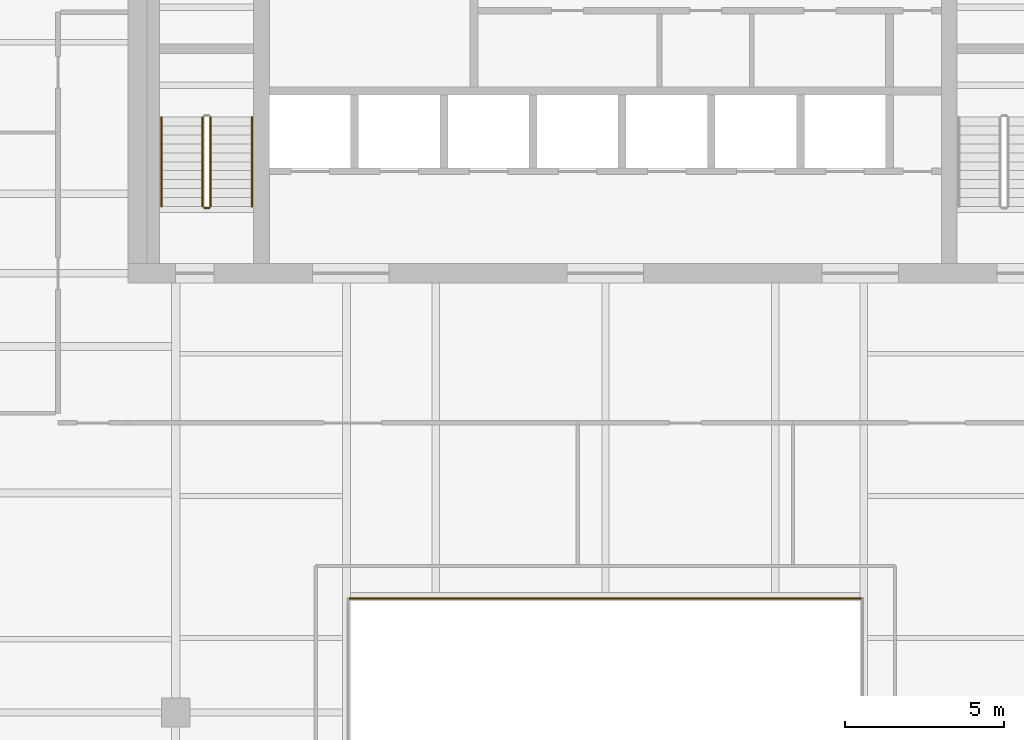
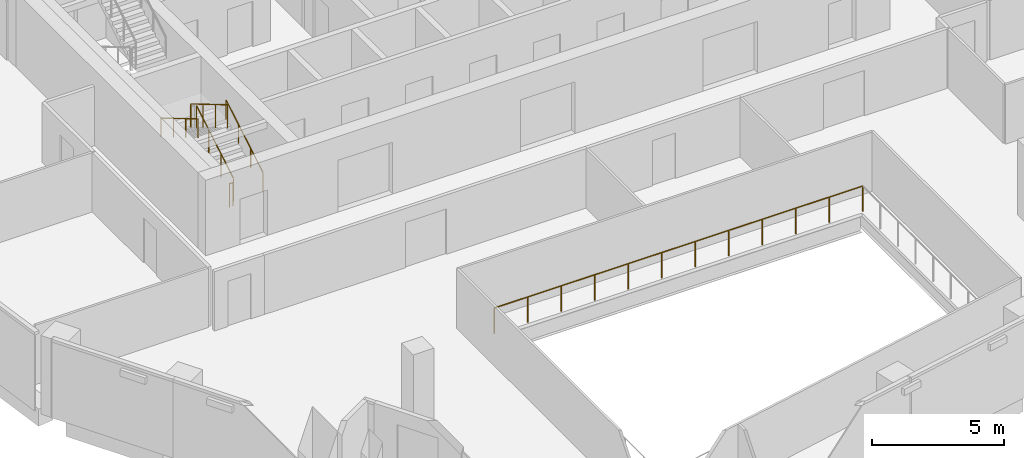
# One storey, part 21 of 25: 6 railings.
"""IFC4 building model written with IfcOpenShell, lengths in metres."""

from ifc_helpers import new_model, si_unit, direction, frame, origin, origin_2d, place, context, subcontext, project, spatial, circle, extrude, material, type_object, element, save


model = new_model("IFC4")

# Units and contexts
model_context = context("Model", 3, precision=1e-05, world=origin(), true_north=direction((0.0, 1.0)))
body_context = subcontext(model_context, "Body", "Model", "MODEL_VIEW")
ifc_project = project(units=[si_unit("LENGTHUNIT", "METRE"), si_unit("AREAUNIT", "SQUARE_METRE"), si_unit("VOLUMEUNIT", "CUBIC_METRE"), si_unit("PLANEANGLEUNIT", "RADIAN"), si_unit("MASSUNIT", "GRAM", prefix="KILO")], contexts=[model_context])

# Site, building, storey
site_placement = place(None, origin())
site = spatial("IfcSite", under=ifc_project, at=site_placement, CompositionType="ELEMENT")
building_placement = place(site_placement, origin())
building = spatial("IfcBuilding", under=site, at=building_placement, Name="Isthmus Gate Tower", CompositionType="ELEMENT")
storey_placement = place(building_placement, frame((0.0, 0.0, 249.14990234375)))
storey = spatial("IfcBuildingStorey", under=building, at=storey_placement, Name="L63", CompositionType="ELEMENT", Elevation=249.14990234375)

# Railings
ifc_material_1 = material(Name="Laminated toughened glass balustrade with steel rail", Category="steel")
railing_type_1 = type_object("IfcRailingType", Name="ATRIUM GUARD GLASS BALUSTRADE 1200", PredefinedType="GUARDRAIL", material=ifc_material_1)
railing_1_placement = place(storey_placement, frame((-8.080078125, -9.919921875, 0.0)))
element("IfcRailing", 1, at=railing_1_placement, inside=storey, type_object=railing_type_1, Name="L63 atrium guard", PredefinedType="GUARDRAIL", context=body_context, shape_type="SweptSolid", body=[
    extrude(circle(Radius=0.02490234375, at=origin_2d()), frame((0.0, 0.0, 1.1748046875), z_axis=(1.0, 0.0, 0.0), x_axis=(0.0, 1.0, 0.0)), (0.0, 0.0, 1.0), 16.16015625),
    extrude(circle(Radius=0.02490234375, at=origin_2d()), origin(), (0.0, 0.0, 1.0), 1.14990234375),
    extrude(circle(Radius=0.02490234375, at=origin_2d()), frame((1.468994140625, 0.0, 0.0)), (0.0, 0.0, 1.0), 1.14990234375),
    extrude(circle(Radius=0.02490234375, at=origin_2d()), frame((2.938232421875, 0.0, 0.0)), (0.0, 0.0, 1.0), 1.14990234375),
    extrude(circle(Radius=0.02490234375, at=origin_2d()), frame((4.4072265625, 0.0, 0.0)), (0.0, 0.0, 1.0), 1.14990234375),
    extrude(circle(Radius=0.02490234375, at=origin_2d()), frame((5.87646484375, 0.0, 0.0)), (0.0, 0.0, 1.0), 1.14990234375),
    extrude(circle(Radius=0.02490234375, at=origin_2d()), frame((7.345458984375, 0.0, 0.0)), (0.0, 0.0, 1.0), 1.14990234375),
    extrude(circle(Radius=0.02490234375, at=origin_2d()), frame((8.814697265625, 0.0, 0.0)), (0.0, 0.0, 1.0), 1.14990234375),
    extrude(circle(Radius=0.02490234375, at=origin_2d()), frame((10.28369140625, 0.0, 0.0)), (0.0, 0.0, 1.0), 1.14990234375),
    extrude(circle(Radius=0.02490234375, at=origin_2d()), frame((11.7529296875, 0.0, 0.0)), (0.0, 0.0, 1.0), 1.14990234375),
    extrude(circle(Radius=0.02490234375, at=origin_2d()), frame((13.221923828125, 0.0, 0.0)), (0.0, 0.0, 1.0), 1.14990234375),
    extrude(circle(Radius=0.02490234375, at=origin_2d()), frame((14.691162109375, 0.0, 0.0)), (0.0, 0.0, 1.0), 1.14990234375),
    extrude(circle(Radius=0.02490234375, at=origin_2d()), frame((16.16015625, 0.0, 0.0)), (0.0, 0.0, 1.0), 1.14990234375),
])
ifc_material_2 = material(Name="Stainless steel balustrade", Category="steel")
railing_type_2 = type_object("IfcRailingType", Name="STAIR GUARD 1100", PredefinedType="GUARDRAIL", material=ifc_material_2)
railing_2_placement = place(storey_placement, frame((-12.39990234375, 2.39990234375, 0.166015625)))
element("IfcRailing", 2, at=railing_2_placement, inside=storey, type_object=railing_type_2, Name="L63 ST7 stair guard 1", PredefinedType="GUARDRAIL", context=body_context, shape_type="SweptSolid", body=[
    extrude(circle(Radius=0.02392578125, at=origin_2d()), frame((0.0, 0.0, 1.076171875), z_axis=(0.0, 0.860306154799, 0.50977771628), x_axis=(-1.0, 0.0, 0.0)), (0.0, 0.0, 1.0), 3.254638671875),
    extrude(circle(Radius=0.02099609375, at=origin_2d()), origin(), (0.0, 0.0, 1.0), 1.052001953125),
    extrude(circle(Radius=0.02099609375, at=origin_2d()), frame((0.0, 0.933349609375, 0.552978515625)), (0.0, 0.0, 1.0), 1.052001953125),
    extrude(circle(Radius=0.02099609375, at=origin_2d()), frame((0.0, 1.86669921875, 1.106201171875)), (0.0, 0.0, 1.0), 1.052001953125),
    extrude(circle(Radius=0.02099609375, at=origin_2d()), frame((0.0, 2.800048828125, 1.6591796875)), (0.0, 0.0, 1.0), 1.052001953125),
])
railing_3_placement = place(storey_placement, frame((-12.64990234375, 5.199951171875, 1.990966796875)))
element("IfcRailing", 3, at=railing_3_placement, inside=storey, type_object=railing_type_2, Name="L63 ST7 stair guard 3", PredefinedType="GUARDRAIL", context=body_context, shape_type="SweptSolid", body=[
    extrude(circle(Radius=0.02392578125, at=origin_2d()), frame((0.0, 0.0, 1.076171875), z_axis=(0.0, -0.860306154799, 0.50977771628), x_axis=(1.0, 0.0, 0.0)), (0.0, 0.0, 1.0), 3.254638671875),
    extrude(circle(Radius=0.02099609375, at=origin_2d()), origin(), (0.0, 0.0, 1.0), 1.052001953125),
    extrude(circle(Radius=0.02099609375, at=origin_2d()), frame((0.0, -0.933349609375, 0.552978515625)), (0.0, 0.0, 1.0), 1.052001953125),
    extrude(circle(Radius=0.02099609375, at=origin_2d()), frame((0.0, -1.86669921875, 1.106201171875)), (0.0, 0.0, 1.0), 1.052001953125),
    extrude(circle(Radius=0.02099609375, at=origin_2d()), frame((0.0, -2.800048828125, 1.6591796875)), (0.0, 0.0, 1.0), 1.052001953125),
])
railing_4_placement = place(storey_placement, frame((-12.449951171875, 2.35009765625, 0.0)))
element("IfcRailing", 4, at=railing_4_placement, inside=storey, type_object=railing_type_2, Name="L63 ST7 stair guard 4", PredefinedType="GUARDRAIL", context=body_context, shape_type="SweptSolid", body=[
    extrude(circle(Radius=0.02392578125, at=origin_2d()), frame((0.0, 0.0, 1.076171875), z_axis=(-1.0, 0.0, 0.0), x_axis=(0.0, -1.0, 0.0)), (0.0, 0.0, 1.0), 0.150146484375),
    extrude(circle(Radius=0.02099609375, at=origin_2d()), origin(), (0.0, 0.0, 1.0), 1.052001953125),
    extrude(circle(Radius=0.02099609375, at=origin_2d()), frame((-0.150146484375, 0.0, 0.0)), (0.0, 0.0, 1.0), 1.052001953125),
])
ifc_material_3 = material(Name="Stainless steel handrail", Category="steel")
railing_type_3 = type_object("IfcRailingType", Name="STAIR HANDRAIL 900", PredefinedType="HANDRAIL", material=ifc_material_3)
railing_5_placement = place(storey_placement, frame((-11.10009765625, 2.39990234375, 0.166015625)))
element("IfcRailing", 5, at=railing_5_placement, inside=storey, type_object=railing_type_3, Name="L63 ST7 stair handrail 1", PredefinedType="HANDRAIL", context=body_context, shape_type="SweptSolid", body=[
    extrude(circle(Radius=0.02392578125, at=origin_2d()), frame((0.0, 0.0, 0.8759765625), z_axis=(0.0, 0.860306154799, 0.50977771628), x_axis=(-1.0, 0.0, 0.0)), (0.0, 0.0, 1.0), 3.254638671875),
    extrude(circle(Radius=0.02099609375, at=origin_2d()), origin(), (0.0, 0.0, 1.0), 0.851806640625),
    extrude(circle(Radius=0.02099609375, at=origin_2d()), frame((0.0, 0.933349609375, 0.552978515625)), (0.0, 0.0, 1.0), 0.851806640625),
    extrude(circle(Radius=0.02099609375, at=origin_2d()), frame((0.0, 1.86669921875, 1.106201171875)), (0.0, 0.0, 1.0), 0.851806640625),
    extrude(circle(Radius=0.02099609375, at=origin_2d()), frame((0.0, 2.800048828125, 1.6591796875)), (0.0, 0.0, 1.0), 0.851806640625),
])
railing_6_placement = place(storey_placement, frame((-13.949951171875, 5.199951171875, 1.990966796875)))
element("IfcRailing", 6, at=railing_6_placement, inside=storey, type_object=railing_type_3, Name="L63 ST7 stair handrail 2", PredefinedType="HANDRAIL", context=body_context, shape_type="SweptSolid", body=[
    extrude(circle(Radius=0.02392578125, at=origin_2d()), frame((0.0, 0.0, 0.8759765625), z_axis=(0.0, -0.860306154799, 0.50977771628), x_axis=(1.0, 0.0, 0.0)), (0.0, 0.0, 1.0), 3.254638671875),
    extrude(circle(Radius=0.02099609375, at=origin_2d()), origin(), (0.0, 0.0, 1.0), 0.851806640625),
    extrude(circle(Radius=0.02099609375, at=origin_2d()), frame((0.0, -0.933349609375, 0.552978515625)), (0.0, 0.0, 1.0), 0.851806640625),
    extrude(circle(Radius=0.02099609375, at=origin_2d()), frame((0.0, -1.86669921875, 1.106201171875)), (0.0, 0.0, 1.0), 0.851806640625),
    extrude(circle(Radius=0.02099609375, at=origin_2d()), frame((0.0, -2.800048828125, 1.6591796875)), (0.0, 0.0, 1.0), 0.851806640625),
])

save(model, "model.ifc")
